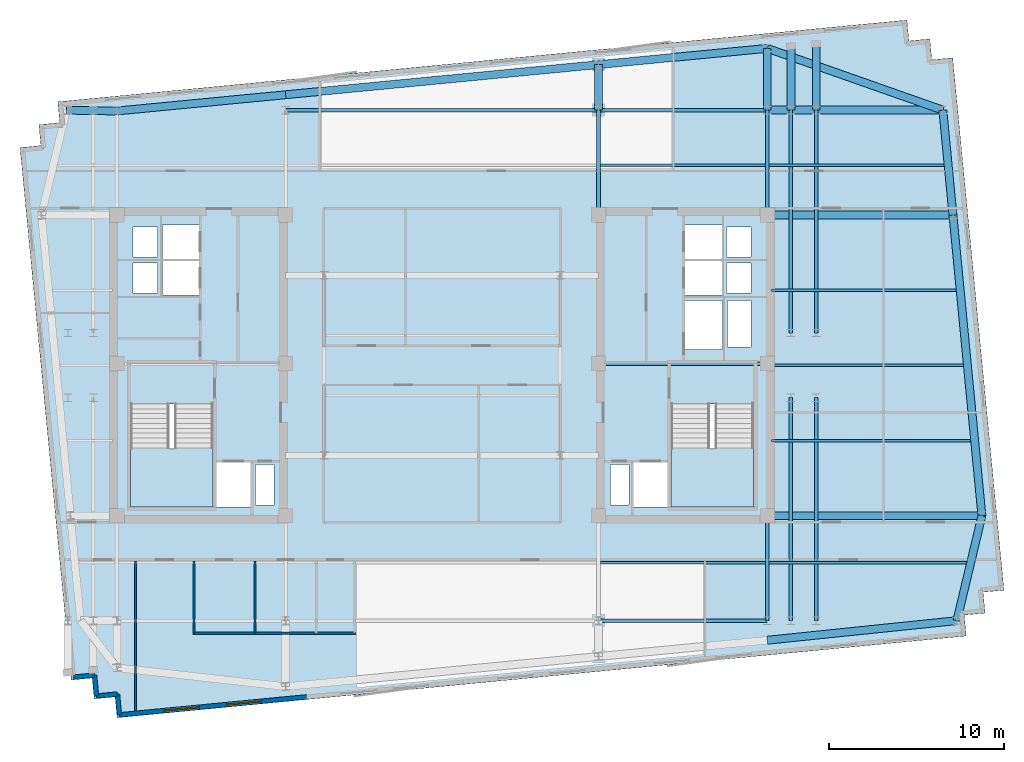
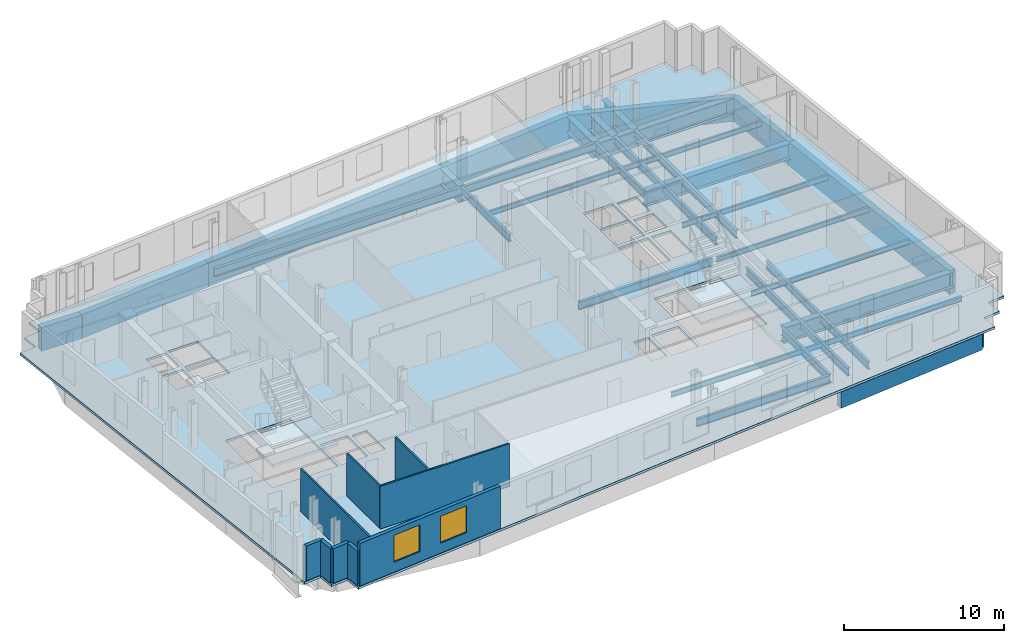
# One storey, part 2 of 8: 34 beams, 9 walls, 3 slabs, 2 windows, 2 openings, 2 elements without a shape of their own.
"""IFC4 building model written with IfcOpenShell, lengths in metres."""

from ifc_helpers import new_model, si_unit, direction, frame, frame_2d, origin, origin_2d, place, context, subcontext, project, spatial, polyline, rectangle, i_section, outline, extrude, material, layer, layer_set, material_profile, profile_set, type_object, element, fill, aggregate, save


model = new_model("IFC4")

# Units and contexts
model_context = context("Model", 3, precision=1e-05, world=origin(), true_north=direction((0.0, 1.0)))
body_context = subcontext(model_context, "Body", "Model", "MODEL_VIEW")
ifc_project = project(units=[si_unit("LENGTHUNIT", "METRE"), si_unit("AREAUNIT", "SQUARE_METRE"), si_unit("VOLUMEUNIT", "CUBIC_METRE"), si_unit("PLANEANGLEUNIT", "RADIAN"), si_unit("MASSUNIT", "GRAM", prefix="KILO")], contexts=[model_context])

# Site, building, storey
site_placement = place(None, origin())
site = spatial("IfcSite", under=ifc_project, at=site_placement, CompositionType="ELEMENT")
building_placement = place(site_placement, origin())
building = spatial("IfcBuilding", under=site, at=building_placement, Name="Velakula Bourse", CompositionType="ELEMENT")
storey_placement = place(building_placement, frame((0.0, 0.0, 251.699951171875)))
storey = spatial("IfcBuildingStorey", under=building, at=storey_placement, Name="L68", CompositionType="ELEMENT", Elevation=251.699951171875)

# Beams
ifc_material_1 = material(Name="Steel IS 2062 Grade 350 (E350)", Category="steel")
ifc_material_profile_1 = material_profile(ifc_material_1, i_section(OverallWidth=0.2099609375, OverallDepth=0.60009765625, WebThickness=0.011962890625, FlangeThickness=0.020751953125, at=origin_2d()), Name="Steel IS 2062 Grade 350 (E350)")
ifc_profile_set_1 = profile_set([ifc_material_profile_1], Name="Steel IS 2062 Grade 350 (E350)")
beam_type_1 = type_object("IfcBeamType", Name="BM-GRD-600L", PredefinedType="BEAM", material=ifc_profile_set_1)
beam_1_placement = place(storey_placement, frame((8.949951171875, 0.10009765625, -0.47998046875), z_axis=(1.0, 0.0, 0.0), x_axis=(0.0, 1.0, 0.0)))
element("IfcBeam", 1, at=beam_1_placement, inside=storey, type_object=beam_type_1, Name="L68 Primary Backbone Girder CRE-M", PredefinedType="BEAM", context=body_context, shape_type="SweptSolid", body=[
    extrude(i_section(OverallWidth=0.2099609375, OverallDepth=0.60009765625, WebThickness=0.011962890625, FlangeThickness=0.020751953125, at=origin_2d()), origin(), (0.0, 0.0, 1.0), 9.650146484375),
])
for number, where, z_axis, x_axis, name in (
    (2, (8.949951171875, 8.60009765625, -0.47998046875), (0.0, 1.0, 0.0), (-1.0, 0.0, 0.0), "L68 Fulcrum Grid Girder FLC-ECN"),
    (3, (18.60009765625, -14.60009765625, -0.47998046875), (0.0, 1.0, 0.0), (-1.0, 0.0, 0.0), "L68 Fulcrum Grid Girder FLC-ES"),
    (4, (18.60009765625, 8.60009765625, -0.47998046875), (0.0, 1.0, 0.0), (-1.0, 0.0, 0.0), "L68 Fulcrum Grid Girder FLC-EN"),
):
    element("IfcBeam", number, at=place(storey_placement, frame(where, z_axis=z_axis, x_axis=x_axis)), inside=storey, type_object=beam_type_1, Name=name, PredefinedType="BEAM", context=body_context, shape_type="SweptSolid", body=[
        extrude(i_section(OverallWidth=0.2099609375, OverallDepth=0.60009765625, WebThickness=0.011962890625, FlangeThickness=0.020751953125, at=origin_2d()), origin(), (0.0, 0.0, 1.0), 6.0),
    ])
beam_2_placement = place(storey_placement, frame((8.949951171875, -14.60009765625, -0.47998046875), z_axis=(1.0, 0.0, 0.0), x_axis=(0.0, 1.0, 0.0)))
element("IfcBeam", 5, at=beam_2_placement, inside=storey, type_object=beam_type_1, Name="L68 Fulcrum Grid Girder FLC-S3", PredefinedType="BEAM", context=body_context, shape_type="SweptSolid", body=[
    extrude(i_section(OverallWidth=0.2099609375, OverallDepth=0.60009765625, WebThickness=0.011962890625, FlangeThickness=0.020751953125, at=origin_2d()), origin(), (0.0, 0.0, 1.0), 9.650146484375),
])
beam_3_placement = place(storey_placement, frame((-8.949951171875, 14.60009765625, -0.47998046875), z_axis=(1.0, 0.0, 0.0), x_axis=(0.0, 1.0, 0.0)))
element("IfcBeam", 6, at=beam_3_placement, inside=storey, type_object=beam_type_1, Name="L68 Fulcrum Grid Girder FLC-N2", PredefinedType="BEAM", context=body_context, shape_type="SweptSolid", body=[
    extrude(i_section(OverallWidth=0.2099609375, OverallDepth=0.60009765625, WebThickness=0.011962890625, FlangeThickness=0.020751953125, at=origin_2d()), origin(), (0.0, 0.0, 1.0), 17.89990234375),
])
beam_4_placement = place(storey_placement, frame((8.949951171875, 14.60009765625, -0.47998046875), z_axis=(1.0, 0.0, 0.0), x_axis=(0.0, 1.0, 0.0)))
element("IfcBeam", 7, at=beam_4_placement, inside=storey, type_object=beam_type_1, Name="L68 Fulcrum Grid Girder FLC-N3", PredefinedType="BEAM", context=body_context, shape_type="SweptSolid", body=[
    extrude(i_section(OverallWidth=0.2099609375, OverallDepth=0.60009765625, WebThickness=0.011962890625, FlangeThickness=0.020751953125, at=origin_2d()), origin(), (0.0, 0.0, 1.0), 9.650146484375),
])
for number, where, z_axis, x_axis, name in (
    (8, (19.949951171875, -14.60009765625, -0.47998046875), (0.0, 1.0, 0.0), (-1.0, 0.0, 0.0), "L68 Fulcrum Grid Girder FLC-PSE1"),
    (9, (19.949951171875, 1.85009765625, -0.47998046875), (0.0, 1.0, 0.0), (-1.0, 0.0, 0.0), "L68 Fulcrum Grid Girder FLC-PNE1"),
    (10, (21.39990234375, -14.60009765625, -0.47998046875), (0.0, 1.0, 0.0), (-1.0, 0.0, 0.0), "L68 Fulcrum Grid Girder FLC-PSE2"),
    (11, (21.39990234375, 1.85009765625, -0.47998046875), (0.0, 1.0, 0.0), (-1.0, 0.0, 0.0), "L68 Fulcrum Grid Girder FLC-PNE2"),
):
    element("IfcBeam", number, at=place(storey_placement, frame(where, z_axis=z_axis, x_axis=x_axis)), inside=storey, type_object=beam_type_1, Name=name, PredefinedType="BEAM", context=body_context, shape_type="SweptSolid", body=[
        extrude(i_section(OverallWidth=0.2099609375, OverallDepth=0.60009765625, WebThickness=0.011962890625, FlangeThickness=0.020751953125, at=origin_2d()), origin(), (0.0, 0.0, 1.0), 12.75),
    ])
ifc_material_profile_2 = material_profile(ifc_material_1, i_section(OverallWidth=0.139892578125, OverallDepth=0.39990234375, WebThickness=0.0087890625, FlangeThickness=0.01611328125, at=origin_2d()), Name="Steel IS 2062 Grade 350 (E350)")
ifc_profile_set_2 = profile_set([ifc_material_profile_2], Name="Steel IS 2062 Grade 350 (E350)")
beam_type_2 = type_object("IfcBeamType", Name="JST-TWR-400", PredefinedType="JOIST", material=ifc_profile_set_2)
beam_5_placement = place(storey_placement, frame((9.054931640625, -11.300048828125, -0.3798828125), z_axis=(1.0, 0.0, 0.0), x_axis=(0.0, 1.0, 0.0)))
element("IfcBeam", 12, at=beam_5_placement, inside=storey, type_object=beam_type_2, Name="L68 Trading Floor Composite Joist 06", PredefinedType="JOIST", context=body_context, shape_type="SweptSolid", body=[
    extrude(i_section(OverallWidth=0.139892578125, OverallDepth=0.39990234375, WebThickness=0.0087890625, FlangeThickness=0.01611328125, at=origin_2d()), origin(), (0.0, 0.0, 1.0), 9.440185546875),
])
beam_6_placement = place(storey_placement, frame((18.705078125, -11.300048828125, -0.3798828125), z_axis=(1.0, 0.0, 0.0), x_axis=(0.0, 1.0, 0.0)))
element("IfcBeam", 13, at=beam_6_placement, inside=storey, type_object=beam_type_2, Name="L68 Trading Floor Composite Joist 07", PredefinedType="JOIST", context=body_context, shape_type="SweptSolid", body=[
    extrude(i_section(OverallWidth=0.139892578125, OverallDepth=0.39990234375, WebThickness=0.0087890625, FlangeThickness=0.01611328125, at=origin_2d()), origin(), (0.0, 0.0, 1.0), 11.29833984375),
])
beam_7_placement = place(storey_placement, frame((9.054931640625, 11.449951171875, -0.3798828125), z_axis=(1.0, 0.0, 0.0), x_axis=(0.0, 1.0, 0.0)))
element("IfcBeam", 14, at=beam_7_placement, inside=storey, type_object=beam_type_2, Name="L68 Trading Floor Composite Joist 11", PredefinedType="JOIST", context=body_context, shape_type="SweptSolid", body=[
    extrude(i_section(OverallWidth=0.139892578125, OverallDepth=0.39990234375, WebThickness=0.0087890625, FlangeThickness=0.01611328125, at=origin_2d()), origin(), (0.0, 0.0, 1.0), 9.440185546875),
])
beam_8_placement = place(storey_placement, frame((18.705078125, 11.449951171875, -0.3798828125), z_axis=(1.0, 0.0, 0.0), x_axis=(0.0, 1.0, 0.0)))
element("IfcBeam", 15, at=beam_8_placement, inside=storey, type_object=beam_type_2, Name="L68 Trading Floor Composite Joist 12", PredefinedType="JOIST", context=body_context, shape_type="SweptSolid", body=[
    extrude(i_section(OverallWidth=0.139892578125, OverallDepth=0.39990234375, WebThickness=0.0087890625, FlangeThickness=0.01611328125, at=origin_2d()), origin(), (0.0, 0.0, 1.0), 10.01708984375),
])
beam_9_placement = place(storey_placement, frame((18.85009765625, -4.300048828125, -0.3798828125), z_axis=(1.0, 0.0, 0.0), x_axis=(0.0, 1.0, 0.0)))
element("IfcBeam", 16, at=beam_9_placement, inside=storey, type_object=beam_type_2, Name="L68 Trading Floor Composite Joist 17", PredefinedType="JOIST", context=body_context, shape_type="SweptSolid", body=[
    extrude(i_section(OverallWidth=0.139892578125, OverallDepth=0.39990234375, WebThickness=0.0087890625, FlangeThickness=0.01611328125, at=origin_2d()), origin(), (0.0, 0.0, 1.0), 11.388671875),
])
beam_10_placement = place(storey_placement, frame((18.85009765625, 0.0, -0.3798828125), z_axis=(1.0, 0.0, 0.0), x_axis=(0.0, 1.0, 0.0)))
element("IfcBeam", 17, at=beam_10_placement, inside=storey, type_object=beam_type_2, Name="L68 Trading Floor Composite Joist 19", PredefinedType="JOIST", context=body_context, shape_type="SweptSolid", body=[
    extrude(i_section(OverallWidth=0.139892578125, OverallDepth=0.39990234375, WebThickness=0.0087890625, FlangeThickness=0.01611328125, at=origin_2d()), origin(), (0.0, 0.0, 1.0), 10.974609375),
])
beam_11_placement = place(storey_placement, frame((18.85009765625, 4.300048828125, -0.3798828125), z_axis=(1.0, 0.0, 0.0), x_axis=(0.0, 1.0, 0.0)))
element("IfcBeam", 18, at=beam_11_placement, inside=storey, type_object=beam_type_2, Name="L68 Trading Floor Composite Joist 21", PredefinedType="JOIST", context=body_context, shape_type="SweptSolid", body=[
    extrude(i_section(OverallWidth=0.139892578125, OverallDepth=0.39990234375, WebThickness=0.0087890625, FlangeThickness=0.01611328125, at=origin_2d()), origin(), (0.0, 0.0, 1.0), 10.560546875),
])
ifc_material_2 = material(Name="Concrete M50 (fck 50 MPa)", Category="concrete")
ifc_material_profile_3 = material_profile(ifc_material_2, rectangle(XDim=0.449951171875, YDim=1.800048828125, at=origin_2d()), Name="Concrete M50 (fck 50 MPa)")
ifc_profile_set_3 = profile_set([ifc_material_profile_3], Name="Concrete M50 (fck 50 MPa)")
beam_type_3 = type_object("IfcBeamType", Name="SPN-TRF-1800", PredefinedType="SPANDREL", material=ifc_profile_set_3)
beam_12_placement = place(storey_placement, frame((-18.60009765625, 14.5517578125, -1.079833984375), z_axis=(0.99539623971, 0.095845323155, 0.0), x_axis=(-0.095845323155, 0.99539623971, 0.0)))
element("IfcBeam", 19, at=beam_12_placement, inside=storey, type_object=beam_type_3, Name="L68 Brick-Faced Precast Spandrel N1-N2", PredefinedType="SPANDREL", context=body_context, shape_type="SweptSolid", body=[
    extrude(rectangle(XDim=0.449951171875, YDim=1.800048828125, at=origin_2d()), origin(), (0.0, 0.0, 1.0), 9.69482421875),
])
beam_13_placement = place(storey_placement, frame((-8.949951171875, 15.48095703125, -1.079833984375), z_axis=(0.995395836254, 0.095849513134, 0.0), x_axis=(-0.095849513134, 0.995395836254, 0.0)))
element("IfcBeam", 20, at=beam_13_placement, inside=storey, type_object=beam_type_3, Name="L68 Brick-Faced Precast Spandrel N2-N3", PredefinedType="SPANDREL", context=body_context, shape_type="SweptSolid", body=[
    extrude(rectangle(XDim=0.449951171875, YDim=1.800048828125, at=origin_2d()), origin(), (0.0, 0.0, 1.0), 17.982666015625),
])
beam_14_placement = place(storey_placement, frame((8.949951171875, 17.20458984375, -1.079833984375), z_axis=(0.99539623971, 0.095845323155, 0.0), x_axis=(-0.095845323155, 0.99539623971, 0.0)))
element("IfcBeam", 21, at=beam_14_placement, inside=storey, type_object=beam_type_3, Name="L68 Brick-Faced Precast Spandrel N3-N4", PredefinedType="SPANDREL", context=body_context, shape_type="SweptSolid", body=[
    extrude(rectangle(XDim=0.449951171875, YDim=1.800048828125, at=origin_2d()), origin(), (0.0, 0.0, 1.0), 9.69482421875),
])
beam_15_placement = place(storey_placement, frame((29.447265625, -14.60009765625, -1.079833984375), z_axis=(0.232091371601, 0.972693988482, 0.0), x_axis=(-0.972693988482, 0.232091371601, 0.0)))
element("IfcBeam", 22, at=beam_15_placement, inside=storey, type_object=beam_type_3, Name="L68 Brick-Faced Precast Spandrel E1-E2", PredefinedType="SPANDREL", context=body_context, shape_type="SweptSolid", body=[
    extrude(rectangle(XDim=0.449951171875, YDim=1.800048828125, at=origin_2d()), origin(), (0.0, 0.0, 1.0), 6.16845703125),
])
beam_16_placement = place(storey_placement, frame((30.87890625, -8.60009765625, -1.079833984375), z_axis=(-0.095849167925, 0.995395869495, 0.0), x_axis=(-0.995395869495, -0.095849167925, 0.0)))
element("IfcBeam", 23, at=beam_16_placement, inside=storey, type_object=beam_type_3, Name="L68 Brick-Faced Precast Spandrel E2-E3", PredefinedType="SPANDREL", context=body_context, shape_type="SweptSolid", body=[
    extrude(rectangle(XDim=0.449951171875, YDim=1.800048828125, at=origin_2d()), origin(), (0.0, 0.0, 1.0), 17.27978515625),
])
beam_17_placement = place(storey_placement, frame((29.22265625, 8.60009765625, -1.079833984375), z_axis=(-0.095829714309, 0.995397742541, 0.0), x_axis=(-0.995397742541, -0.095829714309, 0.0)))
element("IfcBeam", 24, at=beam_17_placement, inside=storey, type_object=beam_type_3, Name="L68 Brick-Faced Precast Spandrel E3-E4", PredefinedType="SPANDREL", context=body_context, shape_type="SweptSolid", body=[
    extrude(rectangle(XDim=0.449951171875, YDim=1.800048828125, at=origin_2d()), origin(), (0.0, 0.0, 1.0), 6.02783203125),
])
beam_18_placement = place(storey_placement, frame((18.60009765625, -15.72216796875, -1.079833984375), z_axis=(0.994692267912, 0.102894568159, 0.0), x_axis=(-0.102894568159, 0.994692267912, 0.0)))
element("IfcBeam", 25, at=beam_18_placement, inside=storey, type_object=beam_type_3, Name="L68 Brick-Faced Precast Spandrel S4-E1", PredefinedType="SPANDREL", context=body_context, shape_type="SweptSolid", body=[
    extrude(rectangle(XDim=0.449951171875, YDim=1.800048828125, at=origin_2d()), origin(), (0.0, 0.0, 1.0), 10.905029296875),
])
beam_19_placement = place(storey_placement, frame((28.64501953125, 14.60009765625, -1.079833984375), z_axis=(-0.943331000058, 0.331853317491, 0.0), x_axis=(-0.331853317491, -0.943331000058, 0.0)))
element("IfcBeam", 26, at=beam_19_placement, inside=storey, type_object=beam_type_3, Name="L68 Brick-Faced Precast Spandrel E4-N4", PredefinedType="SPANDREL", context=body_context, shape_type="SweptSolid", body=[
    extrude(rectangle(XDim=0.449951171875, YDim=1.800048828125, at=origin_2d()), origin(), (0.0, 0.0, 1.0), 10.6484375),
])
beam_20_placement = place(storey_placement, frame((-18.60009765625, 14.5517578125, -1.079833984375), z_axis=(-0.999859727013, 0.016748919285, 0.0), x_axis=(-0.016748919285, -0.999859727013, 0.0)))
element("IfcBeam", 27, at=beam_20_placement, inside=storey, type_object=beam_type_3, Name="L68 Brick-Faced Precast Spandrel N1-W4", PredefinedType="SPANDREL", context=body_context, shape_type="SweptSolid", body=[
    extrude(rectangle(XDim=0.449951171875, YDim=1.800048828125, at=origin_2d()), origin(), (0.0, 0.0, 1.0), 2.88623046875),
])
ifc_material_3 = material(Name="Steel IS 2062 Grade 450 (E450)", Category="steel")
ifc_material_profile_4 = material_profile(ifc_material_3, i_section(OverallWidth=0.449951171875, OverallDepth=1.199951171875, WebThickness=0.02587890625, FlangeThickness=0.0400390625, at=origin_2d()), Name="Steel IS 2062 Grade 450 (E450)")
ifc_profile_set_4 = profile_set([ifc_material_profile_4], Name="Steel IS 2062 Grade 450 (E450)")
beam_type_4 = type_object("IfcBeamType", Name="TB-CANT-1200", PredefinedType="BEAM", material=ifc_profile_set_4)
beam_21_placement = place(storey_placement, frame((8.949951171875, 14.60009765625, -0.780029296875), z_axis=(0.0, 1.0, 0.0), x_axis=(-1.0, 0.0, 0.0)))
element("IfcBeam", 28, at=beam_21_placement, inside=storey, type_object=beam_type_4, Name="L68 Perimeter Tie Girder N3", PredefinedType="BEAM", context=body_context, shape_type="SweptSolid", body=[
    extrude(i_section(OverallWidth=0.449951171875, OverallDepth=1.199951171875, WebThickness=0.02587890625, FlangeThickness=0.0400390625, at=origin_2d()), origin(), (0.0, 0.0, 1.0), 2.6044921875),
])
beam_22_placement = place(storey_placement, frame((18.60009765625, 14.60009765625, -0.780029296875), z_axis=(0.0, 1.0, 0.0), x_axis=(-1.0, 0.0, 0.0)))
element("IfcBeam", 29, at=beam_22_placement, inside=storey, type_object=beam_type_4, Name="L68 Perimeter Tie Girder N4", PredefinedType="BEAM", context=body_context, shape_type="SweptSolid", body=[
    extrude(i_section(OverallWidth=0.449951171875, OverallDepth=1.199951171875, WebThickness=0.02587890625, FlangeThickness=0.0400390625, at=origin_2d()), origin(), (0.0, 0.0, 1.0), 3.53369140625),
])
beam_23_placement = place(storey_placement, frame((18.60009765625, -8.60009765625, -0.780029296875), z_axis=(1.0, 0.0, 0.0), x_axis=(0.0, 1.0, 0.0)))
element("IfcBeam", 30, at=beam_23_placement, inside=storey, type_object=beam_type_4, Name="L68 Perimeter Tie Girder E2", PredefinedType="BEAM", context=body_context, shape_type="SweptSolid", body=[
    extrude(i_section(OverallWidth=0.449951171875, OverallDepth=1.199951171875, WebThickness=0.02587890625, FlangeThickness=0.0400390625, at=origin_2d()), origin(), (0.0, 0.0, 1.0), 12.27880859375),
])
beam_24_placement = place(storey_placement, frame((18.60009765625, 8.60009765625, -0.780029296875), z_axis=(1.0, 0.0, 0.0), x_axis=(0.0, 1.0, 0.0)))
element("IfcBeam", 31, at=beam_24_placement, inside=storey, type_object=beam_type_4, Name="L68 Perimeter Tie Girder E3", PredefinedType="BEAM", context=body_context, shape_type="SweptSolid", body=[
    extrude(i_section(OverallWidth=0.449951171875, OverallDepth=1.199951171875, WebThickness=0.02587890625, FlangeThickness=0.0400390625, at=origin_2d()), origin(), (0.0, 0.0, 1.0), 10.62255859375),
])
beam_25_placement = place(storey_placement, frame((18.60009765625, 14.60009765625, -0.780029296875), z_axis=(1.0, 0.0, 0.0), x_axis=(0.0, 1.0, 0.0)))
element("IfcBeam", 32, at=beam_25_placement, inside=storey, type_object=beam_type_4, Name="L68 Perimeter Tie Girder E4", PredefinedType="BEAM", context=body_context, shape_type="SweptSolid", body=[
    extrude(i_section(OverallWidth=0.449951171875, OverallDepth=1.199951171875, WebThickness=0.02587890625, FlangeThickness=0.0400390625, at=origin_2d()), origin(), (0.0, 0.0, 1.0), 10.044921875),
])
beam_26_placement = place(storey_placement, frame((19.949951171875, 14.60009765625, -0.780029296875), z_axis=(0.0, 1.0, 0.0), x_axis=(-1.0, 0.0, 0.0)))
element("IfcBeam", 33, at=beam_26_placement, inside=storey, type_object=beam_type_4, Name="L68 Perimeter Tie Girder P07", PredefinedType="BEAM", context=body_context, shape_type="SweptSolid", body=[
    extrude(i_section(OverallWidth=0.449951171875, OverallDepth=1.199951171875, WebThickness=0.02587890625, FlangeThickness=0.0400390625, at=origin_2d()), origin(), (0.0, 0.0, 1.0), 3.66357421875),
])
beam_27_placement = place(storey_placement, frame((21.39990234375, 14.60009765625, -0.780029296875), z_axis=(0.0, 1.0, 0.0), x_axis=(-1.0, 0.0, 0.0)))
element("IfcBeam", 34, at=beam_27_placement, inside=storey, type_object=beam_type_4, Name="L68 Perimeter Tie Girder P08", PredefinedType="BEAM", context=body_context, shape_type="SweptSolid", body=[
    extrude(i_section(OverallWidth=0.449951171875, OverallDepth=1.199951171875, WebThickness=0.02587890625, FlangeThickness=0.0400390625, at=origin_2d()), origin(), (0.0, 0.0, 1.0), 3.80322265625),
])

# Stair, slab
ifc_material_4 = material(Name="Concrete M45 (fck 45 MPa)", Category="concrete")
stair_type = type_object("IfcStairType", Name="STR-DOG-390", PredefinedType="HALF_TURN_STAIR", material=ifc_material_4)
stair_1_placement = place(storey_placement, origin())
stair_1 = element("IfcStair", 35, at=stair_1_placement, inside=storey, type_object=stair_type, Name="L68 West Core Exit Stair ST-W1", PredefinedType="HALF_TURN_STAIR")
ifc_layer_1 = layer(ifc_material_4, 0.199951171875, Name="Concrete M45 (fck 45 MPa)", Category="concrete")
ifc_layer_set_1 = layer_set([ifc_layer_1], Name="Concrete M45 (fck 45 MPa)")
slab_type_1 = type_object("IfcSlabType", Name="SLB-STAIR-LND-200", PredefinedType="LANDING", material=ifc_layer_set_1)
slab_1_placement = place(storey_placement, frame((0.0, 0.0, 1.525146484375)))
slab_1 = element("IfcSlab", 36, at=slab_1_placement, type_object=slab_type_1, Name="ST-W1 landing 1", PredefinedType="LANDING", context=body_context, shape_type="SweptSolid", body=[
    extrude(outline(polyline([(-17.820068359375, -4.719970703125), (-17.820068359375, -8.10009765625), (-13.10009765625, -8.10009765625), (-13.10009765625, -4.719970703125), (-17.820068359375, -4.719970703125)])), origin(), (0.0, 0.0, 1.0), 0.199951171875),
])
aggregate(stair_1, [slab_1])

stair_2_placement = place(storey_placement, origin())
stair_2 = element("IfcStair", 37, at=stair_2_placement, inside=storey, type_object=stair_type, Name="L68 East Core Exit Stair ST-E1", PredefinedType="HALF_TURN_STAIR")
slab_2_placement = place(storey_placement, frame((0.0, 0.0, 1.525146484375)))
slab_2 = element("IfcSlab", 38, at=slab_2_placement, type_object=slab_type_1, Name="ST-E1 landing 1", PredefinedType="LANDING", context=body_context, shape_type="SweptSolid", body=[
    extrude(outline(polyline([(13.10009765625, -4.719970703125), (13.10009765625, -8.10009765625), (17.820068359375, -8.10009765625), (17.820068359375, -4.719970703125), (13.10009765625, -4.719970703125)])), origin(), (0.0, 0.0, 1.0), 0.199951171875),
])
aggregate(stair_2, [slab_2])

# Slab
ifc_layer_2 = layer(ifc_material_2, 0.179931640625, Name="Concrete M50 (fck 50 MPa)", Category="concrete")
ifc_layer_set_2 = layer_set([ifc_layer_2], Name="Concrete M50 (fck 50 MPa)")
slab_type_2 = type_object("IfcSlabType", Name="SLB-TWR-180", PredefinedType="FLOOR", material=ifc_layer_set_2)
slab_3_placement = place(storey_placement, frame((0.0, 0.0, -0.179931640625)))
element("IfcSlab", 39, at=slab_3_placement, inside=storey, type_object=slab_type_2, Name="L68 Suspended Structural Floor Slab", PredefinedType="FLOOR", context=body_context, shape_type="SweptSolid", body=[
    extrude(outline(polyline([(-18.59130859375, -20.1572265625), (29.984130859375, -15.47998046875), (29.869140625, -14.285400390625), (31.0634765625, -14.17041015625), (30.948486328125, -12.975830078125), (32.14306640625, -12.86083984375), (29.210205078125, 17.59814453125), (28.015625, 17.483154296875), (27.900634765625, 18.677734375), (26.706298828125, 18.562744140625), (26.59130859375, 19.757080078125), (-21.984130859375, 15.079833984375), (-21.869140625, 13.885498046875), (-23.0634765625, 13.7705078125), (-22.948486328125, 12.575927734375), (-24.14306640625, 12.4609375), (-21.210205078125, -17.998291015625), (-20.015625, -17.88330078125), (-19.900634765625, -19.07763671875), (-18.706298828125, -18.962646484375), (-18.59130859375, -20.1572265625)]), holes=[polyline([(-17.820068359375, -8.10009765625), (-13.10009765625, -8.10009765625), (-13.10009765625, -2.199951171875), (-17.820068359375, -2.199951171875), (-17.820068359375, -8.10009765625)]), polyline([(13.10009765625, -8.10009765625), (17.820068359375, -8.10009765625), (17.820068359375, -2.199951171875), (13.10009765625, -2.199951171875), (13.10009765625, -8.10009765625)]), polyline([(-12.89990234375, -8.10009765625), (-10.949951171875, -8.10009765625), (-10.949951171875, -5.550048828125), (-12.89990234375, -5.550048828125), (-12.89990234375, -8.10009765625)]), polyline([(10.949951171875, -8.10009765625), (12.89990234375, -8.10009765625), (12.89990234375, -5.550048828125), (10.949951171875, -5.550048828125), (10.949951171875, -8.10009765625)]), polyline([(13.89990234375, 0.919921875), (16.050048828125, 0.919921875), (16.050048828125, 3.719970703125), (13.89990234375, 3.719970703125), (13.89990234375, 0.919921875)]), polyline([(-10.679931640625, -7.97998046875), (-9.6201171875, -7.97998046875), (-9.6201171875, -5.669921875), (-10.679931640625, -5.669921875), (-10.679931640625, -7.97998046875)]), polyline([(-17.679931640625, 4.139892578125), (-16.27001953125, 4.139892578125), (-16.27001953125, 5.85009765625), (-17.679931640625, 5.85009765625), (-17.679931640625, 4.139892578125)]), polyline([(-17.679931640625, 6.2099609375), (-16.27001953125, 6.2099609375), (-16.27001953125, 7.919921875), (-17.679931640625, 7.919921875), (-17.679931640625, 6.2099609375)]), polyline([(9.6201171875, -7.97998046875), (10.679931640625, -7.97998046875), (10.679931640625, -5.669921875), (9.6201171875, -5.669921875), (9.6201171875, -7.97998046875)]), polyline([(16.27001953125, 4.139892578125), (17.679931640625, 4.139892578125), (17.679931640625, 5.85009765625), (16.27001953125, 5.85009765625), (16.27001953125, 4.139892578125)]), polyline([(16.27001953125, 6.2099609375), (17.679931640625, 6.2099609375), (17.679931640625, 7.919921875), (16.27001953125, 7.919921875), (16.27001953125, 6.2099609375)]), polyline([(16.320068359375, 1.0400390625), (17.679931640625, 1.0400390625), (17.679931640625, 3.699951171875), (16.320068359375, 3.699951171875), (16.320068359375, 1.0400390625)]), polyline([(-16.0, 4.02001953125), (-13.89990234375, 4.02001953125), (-13.89990234375, 5.969970703125), (-16.0, 5.969970703125), (-16.0, 4.02001953125)]), polyline([(-16.0, 6.090087890625), (-13.89990234375, 6.090087890625), (-13.89990234375, 8.0400390625), (-16.0, 8.0400390625), (-16.0, 6.090087890625)]), polyline([(13.89990234375, 4.02001953125), (16.0, 4.02001953125), (16.0, 5.969970703125), (13.89990234375, 5.969970703125), (13.89990234375, 4.02001953125)]), polyline([(13.89990234375, 6.090087890625), (16.0, 6.090087890625), (16.0, 8.0400390625), (13.89990234375, 8.0400390625), (13.89990234375, 6.090087890625)])]), origin(), (0.0, 0.0, 1.0), 0.179931640625),
])

# Wall, openings, windows
ifc_material_5 = material(Name="Buff kilned clay facing brick masonry", Category="masonry")
ifc_layer_3 = layer(ifc_material_5, 0.260009765625, Name="Buff kilned clay facing brick masonry", Category="masonry")
ifc_layer_set_3 = layer_set([ifc_layer_3], Name="Buff kilned clay facing brick masonry")
wall_type_1 = type_object("IfcWallType", Name="WL-EXT-BRK-260", PredefinedType="STANDARD", material=ifc_layer_set_3)
wall_1_placement = place(storey_placement, frame((-7.755859375, -18.963134765625, 0.0), z_axis=(0.0, 0.0, 1.0), x_axis=(-0.995396745868, -0.095840066339, 0.0)))
wall_1 = element("IfcWall", 40, at=wall_1_placement, inside=storey, type_object=wall_type_1, Name="L68 S Brick Spandrel Wall B1", PredefinedType="STANDARD", context=body_context, shape_type="SweptSolid", body=[
    extrude(rectangle(XDim=10.75, YDim=0.260009765625, at=frame_2d((5.375, 0.0))), origin(), (0.0, 0.0, 1.0), 3.25),
])
opening_1_placement = place(wall_1_placement, frame((2.583251953125, 0.0, 0.760009765625)))
opening_1 = element("IfcOpeningElement", 41, at=opening_1_placement, cuts=wall_1, Name="Opening W-05", PredefinedType="OPENING", context=body_context, shape_type="SweptSolid", body=[
    extrude(rectangle(XDim=2.0, YDim=2.050048828125, at=frame_2d((1.0, 1.02490234375))), frame((0.0, 0.139892578125, 0.0), z_axis=(0.0, -1.0, 0.0), x_axis=(1.0, 0.0, 0.0)), (0.0, 0.0, 1.0), 0.280029296875),
])
opening_2_placement = place(wall_1_placement, frame((6.166748046875, 0.0, 0.760009765625)))
opening_2 = element("IfcOpeningElement", 42, at=opening_2_placement, cuts=wall_1, Name="Opening W-05", PredefinedType="OPENING", context=body_context, shape_type="SweptSolid", body=[
    extrude(rectangle(XDim=2.0, YDim=2.050048828125, at=frame_2d((1.0, 1.02490234375))), frame((0.0, 0.139892578125, 0.0), z_axis=(0.0, -1.0, 0.0), x_axis=(1.0, 0.0, 0.0)), (0.0, 0.0, 1.0), 0.280029296875),
])
ifc_material_6 = material(Name="Double-glazed solar-control Low-E glass", Category="glass")
window_type = type_object("IfcWindowType", Name="WIN-TWR-2000x2200", PartitioningType="DOUBLE_PANEL_VERTICAL", PredefinedType="WINDOW", material=ifc_material_6)
window_1_placement = place(opening_1_placement, origin())
window_1 = element("IfcWindow", 43, at=window_1_placement, inside=storey, type_object=window_type, Name="L68 Deep-Set Recessed Window 1", OverallHeight=2.050048828125, OverallWidth=2.0, PartitioningType="DOUBLE_PANEL_VERTICAL", PredefinedType="WINDOW", context=body_context, shape_type="SweptSolid", body=[
    extrude(rectangle(XDim=2.0, YDim=2.050048828125, at=frame_2d((1.0, 1.02490234375))), frame((0.0, 0.030029296875, 0.0), z_axis=(0.0, -1.0, 0.0), x_axis=(1.0, 0.0, 0.0)), (0.0, 0.0, 1.0), 0.06005859375),
])
fill(opening_1, window_1)
window_2_placement = place(opening_2_placement, origin())
window_2 = element("IfcWindow", 44, at=window_2_placement, inside=storey, type_object=window_type, Name="L68 Deep-Set Recessed Window 2", OverallHeight=2.050048828125, OverallWidth=2.0, PartitioningType="DOUBLE_PANEL_VERTICAL", PredefinedType="WINDOW", context=body_context, shape_type="SweptSolid", body=[
    extrude(rectangle(XDim=2.0, YDim=2.050048828125, at=frame_2d((1.0, 1.02490234375))), frame((0.0, 0.030029296875, 0.0), z_axis=(0.0, -1.0, 0.0), x_axis=(1.0, 0.0, 0.0)), (0.0, 0.0, 1.0), 0.06005859375),
])
fill(opening_2, window_2)

# Walls
wall_2_placement = place(storey_placement, frame((-21.0751953125, -17.83447265625, 0.0), z_axis=(0.0, 0.0, 1.0), x_axis=(0.995397091755, 0.095836473879, 0.0)))
element("IfcWall", 45, at=wall_2_placement, inside=storey, type_object=wall_type_1, Name="L68 Serrated Corner Brick Wall SW-1", PredefinedType="STANDARD", context=body_context, shape_type="SweptSolid", body=[
    extrude(rectangle(XDim=1.199951171875, YDim=0.260009765625, at=frame_2d((0.60009765625, 0.0))), origin(), (0.0, 0.0, 1.0), 2.64501953125),
])
for number, where, z_axis, x_axis, name in (
    (46, (-19.880859375, -17.719482421875, 0.0), (0.0, 0.0, 1.0), (0.095817067274, -0.995398960025, 0.0), "L68 Serrated Corner Brick Wall SW-2"),
    (47, (-19.765869140625, -18.9140625, 0.0), (0.0, 0.0, 1.0), (0.995398960025, 0.095817067274, 0.0), "L68 Serrated Corner Brick Wall SW-3"),
):
    element("IfcWall", number, at=place(storey_placement, frame(where, z_axis=z_axis, x_axis=x_axis)), inside=storey, type_object=wall_type_1, Name=name, PredefinedType="STANDARD", context=body_context, shape_type="SweptSolid", body=[
        extrude(rectangle(XDim=1.2001953125, YDim=0.260009765625, at=frame_2d((0.60009765625, 0.0))), origin(), (0.0, 0.0, 1.0), 2.64501953125),
    ])
wall_3_placement = place(storey_placement, frame((-18.5712890625, -18.799072265625, 0.0), z_axis=(0.0, 0.0, 1.0), x_axis=(0.095836473879, -0.995397091755, 0.0)))
element("IfcWall", 48, at=wall_3_placement, inside=storey, type_object=wall_type_1, Name="L68 Serrated Corner Brick Wall SW-4", PredefinedType="STANDARD", context=body_context, shape_type="SweptSolid", body=[
    extrude(rectangle(XDim=1.199951171875, YDim=0.260009765625, at=frame_2d((0.60009765625, 0.0))), origin(), (0.0, 0.0, 1.0), 2.64501953125),
])
ifc_material_7 = material(Name="Fire-rated double-layer gypsum drywall partition", Category="gypsum")
ifc_layer_4 = layer(ifc_material_7, 0.1201171875, Name="Fire-rated double-layer gypsum drywall partition", Category="gypsum")
ifc_layer_set_4 = layer_set([ifc_layer_4], Name="Fire-rated double-layer gypsum drywall partition")
wall_type_2 = type_object("IfcWallType", Name="WL-PART-120", PredefinedType="STANDARD", material=ifc_layer_set_4)
wall_4_placement = place(storey_placement, frame((-14.260009765625, -15.320068359375, 0.0), z_axis=(0.0, 0.0, 1.0), x_axis=(1.0, 0.0, 0.0)))
element("IfcWall", 49, at=wall_4_placement, inside=storey, type_object=wall_type_2, Name="L68 Interior Partition WL-WC-L68-BACK", PredefinedType="STANDARD", context=body_context, shape_type="SweptSolid", body=[
    extrude(rectangle(XDim=9.320068359375, YDim=0.1201171875, at=frame_2d((4.66015625, 0.0))), origin(), (0.0, 0.0, 1.0), 3.25),
])
for number, where, z_axis, x_axis, name in (
    (50, (-14.199951171875, -15.320068359375, 0.0), (0.0, 0.0, 1.0), (0.0, 1.0, 0.0), "L68 Interior Partition WL-WC-L68-V1"),
    (51, (-10.699951171875, -15.320068359375, 0.0), (0.0, 0.0, 1.0), (0.0, 1.0, 0.0), "L68 Interior Partition WL-WC-L68-V2"),
):
    element("IfcWall", number, at=place(storey_placement, frame(where, z_axis=z_axis, x_axis=x_axis)), inside=storey, type_object=wall_type_2, Name=name, PredefinedType="STANDARD", context=body_context, shape_type="SweptSolid", body=[
        extrude(rectangle(XDim=4.130126953125, YDim=0.1201171875, at=frame_2d((2.06494140625, 0.0))), origin(), (0.0, 0.0, 1.0), 3.25),
    ])
wall_5_placement = place(storey_placement, frame((-17.531982421875, -19.77392578125, 0.0), z_axis=(0.0, 0.0, 1.0), x_axis=(0.0, 1.0, 0.0)))
element("IfcWall", 52, at=wall_5_placement, inside=storey, type_object=wall_type_2, Name="L68 Interior Partition WL-INT-L68-SL-D5", PredefinedType="STANDARD", context=body_context, shape_type="SweptSolid", body=[
    extrude(rectangle(XDim=8.583984375, YDim=0.1201171875, at=frame_2d((4.2919921875, 0.0))), origin(), (0.0, 0.0, 1.0), 3.25),
])

save(model, "model.ifc")
